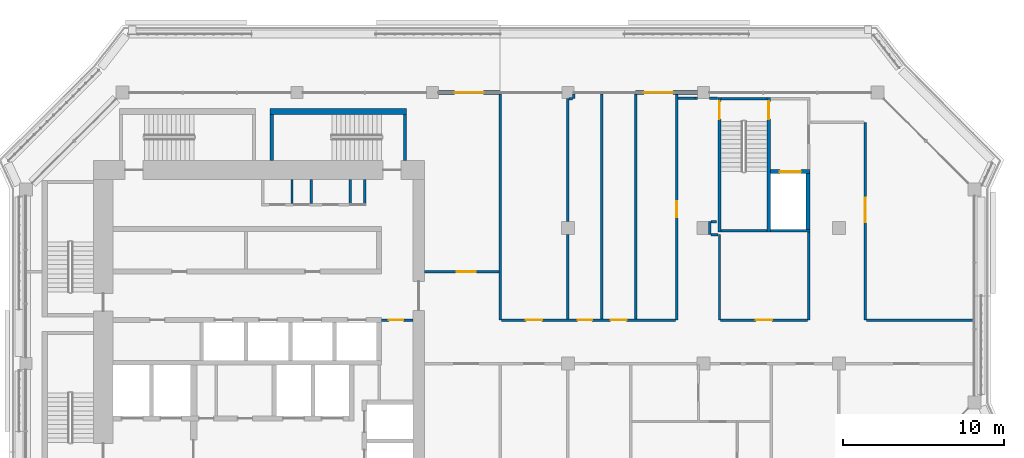
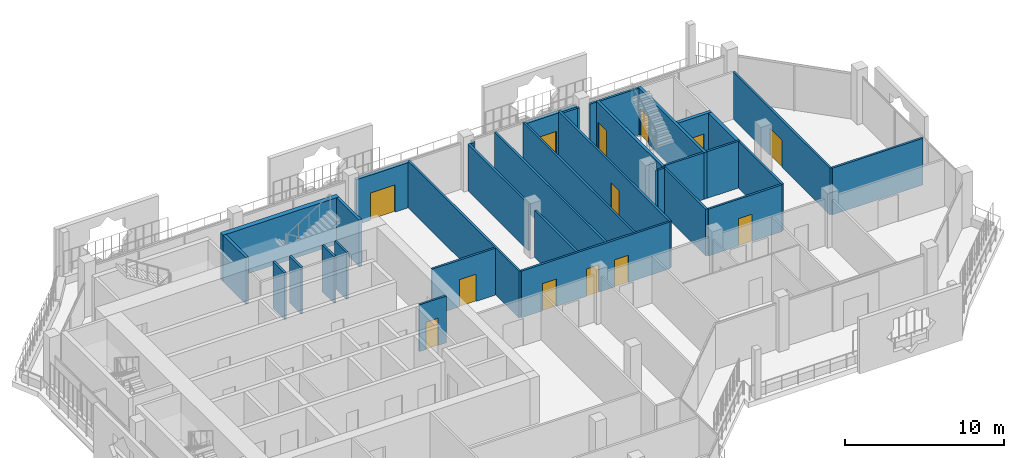
# One storey, part 13 of 21: 38 walls, 13 doors, 13 openings.
"""IFC4 building model written with IfcOpenShell, lengths in metres."""

from ifc_helpers import new_model, si_unit, direction, frame, frame_2d, origin, place, context, subcontext, project, spatial, rectangle, extrude, material, layer, layer_set, type_object, element, fill, save


model = new_model("IFC4")

# Units and contexts
model_context = context("Model", 3, precision=1e-05, world=origin(), true_north=direction((0.0, 1.0)))
body_context = subcontext(model_context, "Body", "Model", "MODEL_VIEW")
ifc_project = project(units=[si_unit("LENGTHUNIT", "METRE"), si_unit("AREAUNIT", "SQUARE_METRE"), si_unit("VOLUMEUNIT", "CUBIC_METRE"), si_unit("PLANEANGLEUNIT", "RADIAN"), si_unit("MASSUNIT", "GRAM", prefix="KILO")], contexts=[model_context])

# Site, building, storey
site_placement = place(None, origin())
site = spatial("IfcSite", under=ifc_project, at=site_placement, CompositionType="ELEMENT")
building_placement = place(site_placement, origin())
building = spatial("IfcBuilding", under=site, at=building_placement, Name="Kawkab Arch Medical Tower", CompositionType="ELEMENT")
storey_placement = place(building_placement, frame((0.0, 0.0, 319.60009765625)))
storey = spatial("IfcBuildingStorey", under=building, at=storey_placement, Name="L74", CompositionType="ELEMENT", Elevation=319.60009765625)

# Wall, opening, door
ifc_material_1 = material(Name="Gypsum board on steel studs", Category="steel")
ifc_layer_1 = layer(ifc_material_1, 0.14990234375)
ifc_layer_set_1 = layer_set([ifc_layer_1], Name="Gypsum board on steel studs")
wall_type_1 = type_object("IfcWallType", Name="Core room partition 150", PredefinedType="PARTITIONING", material=ifc_layer_set_1)
wall_1_placement = place(storey_placement, frame((22.050048828125, -14.10009765625, 0.0), z_axis=(0.0, 0.0, 1.0), x_axis=(1.0, 0.0, 0.0)))
wall_1 = element("IfcWall", 1, at=wall_1_placement, inside=storey, type_object=wall_type_1, Name="L74 core room partition", PredefinedType="PARTITIONING", context=body_context, shape_type="SweptSolid", body=[
    extrude(rectangle(XDim=1.949951171875, YDim=0.14990234375, at=frame_2d((0.97509765625, 0.0))), origin(), (0.0, 0.0, 1.0), 3.599853515625),
])
opening_1_placement = place(wall_1_placement, frame((0.449951171875, 0.0, 0.0)))
opening_1 = element("IfcOpeningElement", 2, at=opening_1_placement, cuts=wall_1, Name="Opening RD", PredefinedType="OPENING", context=body_context, shape_type="SweptSolid", body=[
    extrude(rectangle(XDim=0.89990234375, YDim=2.10009765625, at=frame_2d((0.449951171875, 1.050048828125))), frame((0.0, 0.0849609375, 0.0), z_axis=(0.0, -1.0, 0.0), x_axis=(1.0, 0.0, 0.0)), (0.0, 0.0, 1.0), 0.169921875),
])
ifc_material_2 = material(Name="Hollow metal fire door leaf")
door_type_1 = type_object("IfcDoorType", Name="Core room door 900", OperationType="SINGLE_SWING_LEFT", PredefinedType="DOOR", material=ifc_material_2)
door_1_placement = place(opening_1_placement, origin())
door_1 = element("IfcDoor", 3, at=door_1_placement, inside=storey, type_object=door_type_1, Name="L74 Data room door", OperationType="SINGLE_SWING_LEFT", OverallHeight=2.10009765625, OverallWidth=0.89990234375, PredefinedType="DOOR", context=body_context, shape_type="SweptSolid", body=[
    extrude(rectangle(XDim=0.89990234375, YDim=2.10009765625, at=frame_2d((0.449951171875, 1.050048828125))), frame((0.0, 0.02490234375, 0.0), z_axis=(0.0, -1.0, 0.0), x_axis=(1.0, 0.0, 0.0)), (0.0, 0.0, 1.0), 0.050048828125),
])
fill(opening_1, door_1)

# Walls
for number, where, z_axis, x_axis, name in (
    (4, (16.5, -6.875, 0.0), (0.0, 0.0, 1.0), (0.0, 1.0, 0.0), "L74 core room partition"),
    (5, (17.699951171875, -6.875, 0.0), (0.0, 0.0, 1.0), (0.0, 1.0, 0.0), "L74 core room partition"),
    (6, (20.10009765625, -6.875, 0.0), (0.0, 0.0, 1.0), (0.0, 1.0, 0.0), "L74 core room partition"),
    (7, (21.0, -6.875, 0.0), (0.0, 0.0, 1.0), (0.0, 1.0, 0.0), "L74 core room partition"),
):
    element("IfcWall", number, at=place(storey_placement, frame(where, z_axis=z_axis, x_axis=x_axis)), inside=storey, type_object=wall_type_1, Name=name, PredefinedType="PARTITIONING", context=body_context, shape_type="SweptSolid", body=[
        extrude(rectangle(XDim=1.47509765625, YDim=0.14990234375, at=frame_2d((0.737548828125, 0.0))), origin(), (0.0, 0.0, 1.0), 3.599853515625),
    ])

# Wall, opening, door
ifc_material_3 = material(Name="Concrete C60/75", Category="concrete")
ifc_layer_2 = layer(ifc_material_3, 0.25)
ifc_layer_set_2 = layer_set([ifc_layer_2], Name="Concrete C60/75")
wall_type_2 = type_object("IfcWallType", Name="Core shear wall 250 C60/75", PredefinedType="SHEAR", material=ifc_layer_set_2)
wall_2_placement = place(storey_placement, frame((46.14990234375, -4.89990234375, 0.0), z_axis=(0.0, 0.0, 1.0), x_axis=(1.0, 0.0, 0.0)))
wall_2 = element("IfcWall", 8, at=wall_2_placement, inside=storey, type_object=wall_type_2, Name="L74 core shear wall", PredefinedType="SHEAR", context=body_context, shape_type="SweptSolid", body=[
    extrude(rectangle(XDim=2.4501953125, YDim=0.25, at=frame_2d((1.22509765625, 0.0))), origin(), (0.0, 0.0, 1.0), 3.599853515625),
])
opening_2_placement = place(wall_2_placement, frame((0.60009765625, 0.0, 0.0)))
opening_2 = element("IfcOpeningElement", 9, at=opening_2_placement, cuts=wall_2, Name="Opening LD2", PredefinedType="OPENING", context=body_context, shape_type="SweptSolid", body=[
    extrude(rectangle(XDim=1.300048828125, YDim=2.10009765625, at=frame_2d((0.64990234375, 1.050048828125))), frame((0.0, 0.135009765625, 0.0), z_axis=(0.0, -1.0, 0.0), x_axis=(1.0, 0.0, 0.0)), (0.0, 0.0, 1.0), 0.27001953125),
])
ifc_material_4 = material(Name="Stainless steel lift door leaf", Category="steel")
door_type_2 = type_object("IfcDoorType", Name="Lift landing door 1300", OperationType="DOUBLE_DOOR_SLIDING", PredefinedType="DOOR", material=ifc_material_4)
door_2_placement = place(opening_2_placement, origin())
door_2 = element("IfcDoor", 10, at=door_2_placement, inside=storey, type_object=door_type_2, Name="L74 Lift landing door SV1", OperationType="DOUBLE_DOOR_SLIDING", OverallHeight=2.10009765625, OverallWidth=1.300048828125, PredefinedType="DOOR", context=body_context, shape_type="SweptSolid", body=[
    extrude(rectangle(XDim=1.300048828125, YDim=2.10009765625, at=frame_2d((0.64990234375, 1.050048828125))), frame((0.0, 0.02490234375, 0.0), z_axis=(0.0, -1.0, 0.0), x_axis=(1.0, 0.0, 0.0)), (0.0, 0.0, 1.0), 0.050048828125),
])
fill(opening_2, door_2)

# Wall
wall_3_placement = place(storey_placement, frame((48.47509765625, -8.5, 0.0), z_axis=(0.0, 0.0, 1.0), x_axis=(0.0, 1.0, 0.0)))
element("IfcWall", 11, at=wall_3_placement, inside=storey, type_object=wall_type_2, Name="L74 core shear wall", PredefinedType="SHEAR", context=body_context, shape_type="SweptSolid", body=[
    extrude(rectangle(XDim=3.47509765625, YDim=0.25, at=frame_2d((1.737548828125, 0.0))), origin(), (0.0, 0.0, 1.0), 3.599853515625),
])

# Wall, opening, door
ifc_material_5 = material(Name="Bronze clad insulated wall panel")
ifc_layer_3 = layer(ifc_material_5, 0.25)
ifc_layer_set_3 = layer_set([ifc_layer_3], Name="Bronze clad insulated wall panel")
wall_type_3 = type_object("IfcWallType", Name="External wall bay 250", PredefinedType="SOLIDWALL", material=ifc_layer_set_3)
wall_4_placement = place(storey_placement, frame((41.625, 0.0, 0.0), z_axis=(0.0, 0.0, 1.0), x_axis=(-1.0, 0.0, 0.0)))
wall_4 = element("IfcWall", 12, at=wall_4_placement, inside=storey, type_object=wall_type_3, Name="External wall bay L74.R15.2.1", PredefinedType="SOLIDWALL", context=body_context, shape_type="SweptSolid", body=[
    extrude(rectangle(XDim=3.824951171875, YDim=0.25, at=frame_2d((1.91259765625, 0.0))), origin(), (0.0, 0.0, 1.0), 3.47998046875),
])
opening_3_placement = place(wall_4_placement, frame((1.512451171875, 0.0, 0.0)))
opening_3 = element("IfcOpeningElement", 13, at=opening_3_placement, cuts=wall_4, Name="Opening W69-701", PredefinedType="OPENING", context=body_context, shape_type="SweptSolid", body=[
    extrude(rectangle(XDim=1.800048828125, YDim=2.10009765625, at=frame_2d((0.89990234375, 1.050048828125))), frame((0.0, 0.135009765625, 0.0), z_axis=(0.0, -1.0, 0.0), x_axis=(1.0, 0.0, 0.0)), (0.0, 0.0, 1.0), 0.27001953125),
])
ifc_material_6 = material(Name="Bronze anodised aluminium door with tinted glass", Category="aluminium")
door_type_3 = type_object("IfcDoorType", Name="Double external door 1800 x 2100", OperationType="DOUBLE_DOOR_SINGLE_SWING", PredefinedType="DOOR", material=ifc_material_6)
door_3_placement = place(opening_3_placement, origin())
door_3 = element("IfcDoor", 14, at=door_3_placement, inside=storey, type_object=door_type_3, Name="External door L74.R15.2.1", OperationType="DOUBLE_DOOR_SINGLE_SWING", OverallHeight=2.10009765625, OverallWidth=1.800048828125, PredefinedType="DOOR", context=body_context, shape_type="SweptSolid", body=[
    extrude(rectangle(XDim=1.800048828125, YDim=2.10009765625, at=frame_2d((0.89990234375, 1.050048828125))), frame((0.0, 0.02490234375, 0.0), z_axis=(0.0, -1.0, 0.0), x_axis=(1.0, 0.0, 0.0)), (0.0, 0.0, 1.0), 0.050048828125),
])
fill(opening_3, door_3)

wall_5_placement = place(storey_placement, frame((29.39990234375, 0.0, 0.0), z_axis=(0.0, 0.0, 1.0), x_axis=(-1.0, 0.0, 0.0)))
wall_5 = element("IfcWall", 15, at=wall_5_placement, inside=storey, type_object=wall_type_3, Name="External wall bay L74.R15.3.2", PredefinedType="SOLIDWALL", context=body_context, shape_type="SweptSolid", body=[
    extrude(rectangle(XDim=3.824951171875, YDim=0.25, at=frame_2d((1.91259765625, 0.0))), origin(), (0.0, 0.0, 1.0), 3.47998046875),
])
opening_4_placement = place(wall_5_placement, frame((1.012451171875, 0.0, 0.0)))
opening_4 = element("IfcOpeningElement", 16, at=opening_4_placement, cuts=wall_5, Name="Opening W69-701", PredefinedType="OPENING", context=body_context, shape_type="SweptSolid", body=[
    extrude(rectangle(XDim=1.800048828125, YDim=2.10009765625, at=frame_2d((0.89990234375, 1.050048828125))), frame((0.0, 0.135009765625, 0.0), z_axis=(0.0, -1.0, 0.0), x_axis=(1.0, 0.0, 0.0)), (0.0, 0.0, 1.0), 0.27001953125),
])
door_4_placement = place(opening_4_placement, origin())
door_4 = element("IfcDoor", 17, at=door_4_placement, inside=storey, type_object=door_type_3, Name="External door L74.R15.3.2", OperationType="DOUBLE_DOOR_SINGLE_SWING", OverallHeight=2.10009765625, OverallWidth=1.800048828125, PredefinedType="DOOR", context=body_context, shape_type="SweptSolid", body=[
    extrude(rectangle(XDim=1.800048828125, YDim=2.10009765625, at=frame_2d((0.89990234375, 1.050048828125))), frame((0.0, 0.02490234375, 0.0), z_axis=(0.0, -1.0, 0.0), x_axis=(1.0, 0.0, 0.0)), (0.0, 0.0, 1.0), 0.050048828125),
])
fill(opening_4, door_4)

# Wall, openings, doors
ifc_material_7 = material(Name="Gypsum board partition on steel studs, mineral wool", Category="steel")
ifc_layer_4 = layer(ifc_material_7, 0.14990234375)
ifc_layer_set_4 = layer_set([ifc_layer_4], Name="Gypsum board partition on steel studs, mineral wool")
wall_type_4 = type_object("IfcWallType", Name="Partition 150", PredefinedType="PARTITIONING", material=ifc_layer_set_4)
wall_6_placement = place(storey_placement, frame((29.47509765625, -14.10009765625, 0.0), z_axis=(0.0, 0.0, 1.0), x_axis=(1.0, 0.0, 0.0)))
wall_6 = element("IfcWall", 18, at=wall_6_placement, inside=storey, type_object=wall_type_4, Name="Partition 150 w013", PredefinedType="PARTITIONING", context=body_context, shape_type="SweptSolid", body=[
    extrude(rectangle(XDim=10.806884765625, YDim=0.14990234375, at=frame_2d((5.4033203125, 0.0))), origin(), (0.0, 0.0, 1.0), 3.599853515625),
])
opening_5_placement = place(wall_6_placement, frame((1.52490234375, 0.0, 0.0)))
opening_5 = element("IfcOpeningElement", 19, at=opening_5_placement, cuts=wall_6, Name="Opening W69-010", PredefinedType="OPENING", context=body_context, shape_type="SweptSolid", body=[
    extrude(rectangle(XDim=1.0, YDim=2.10009765625, at=frame_2d((0.5, 1.050048828125))), frame((0.0, 0.0849609375, 0.0), z_axis=(0.0, -1.0, 0.0), x_axis=(1.0, 0.0, 0.0)), (0.0, 0.0, 1.0), 0.169921875),
])
opening_6_placement = place(wall_6_placement, frame((4.72509765625, 0.0, 0.0)))
opening_6 = element("IfcOpeningElement", 20, at=opening_6_placement, cuts=wall_6, Name="Opening W69-006", PredefinedType="OPENING", context=body_context, shape_type="SweptSolid", body=[
    extrude(rectangle(XDim=0.89990234375, YDim=2.10009765625, at=frame_2d((0.449951171875, 1.050048828125))), frame((0.0, 0.0849609375, 0.0), z_axis=(0.0, -1.0, 0.0), x_axis=(1.0, 0.0, 0.0)), (0.0, 0.0, 1.0), 0.169921875),
])
opening_7_placement = place(wall_6_placement, frame((6.77490234375, 0.0, 0.0)))
opening_7 = element("IfcOpeningElement", 21, at=opening_7_placement, cuts=wall_6, Name="Opening W69-009", PredefinedType="OPENING", context=body_context, shape_type="SweptSolid", body=[
    extrude(rectangle(XDim=1.0, YDim=2.10009765625, at=frame_2d((0.5, 1.050048828125))), frame((0.0, 0.0849609375, 0.0), z_axis=(0.0, -1.0, 0.0), x_axis=(1.0, 0.0, 0.0)), (0.0, 0.0, 1.0), 0.169921875),
])
ifc_material_8 = material(Name="Timber door leaf", Category="wood")
door_type_4 = type_object("IfcDoorType", Name="Single door 1000x2100", OperationType="NOTDEFINED", PredefinedType="DOOR", material=ifc_material_8)
door_5_placement = place(opening_7_placement, origin())
door_5 = element("IfcDoor", 22, at=door_5_placement, inside=storey, type_object=door_type_4, Name="Door W69-009", OperationType="SINGLE_SWING_RIGHT", OverallHeight=2.10009765625, OverallWidth=1.0, PredefinedType="DOOR", context=body_context, shape_type="SweptSolid", body=[
    extrude(rectangle(XDim=1.0, YDim=2.10009765625, at=frame_2d((0.5, 1.050048828125))), frame((0.0, 0.02490234375, 0.0), z_axis=(0.0, -1.0, 0.0), x_axis=(1.0, 0.0, 0.0)), (0.0, 0.0, 1.0), 0.050048828125),
])
fill(opening_7, door_5)
ifc_material_9 = material(Name="Hollow metal door leaf")
door_type_5 = type_object("IfcDoorType", Name="Single door 1000x2100 FD30S", OperationType="NOTDEFINED", PredefinedType="DOOR", material=ifc_material_9)
door_6_placement = place(opening_5_placement, origin())
door_6 = element("IfcDoor", 23, at=door_6_placement, inside=storey, type_object=door_type_5, Name="Door W69-010", OperationType="SINGLE_SWING_LEFT", OverallHeight=2.10009765625, OverallWidth=1.0, PredefinedType="DOOR", context=body_context, shape_type="SweptSolid", body=[
    extrude(rectangle(XDim=1.0, YDim=2.10009765625, at=frame_2d((0.5, 1.050048828125))), frame((0.0, 0.02490234375, 0.0), z_axis=(0.0, -1.0, 0.0), x_axis=(1.0, 0.0, 0.0)), (0.0, 0.0, 1.0), 0.050048828125),
])
fill(opening_5, door_6)
ifc_material_10 = material(Name="Timber door leaf", Category="wood")
door_type_6 = type_object("IfcDoorType", Name="Single door 900x2100", OperationType="NOTDEFINED", PredefinedType="DOOR", material=ifc_material_10)
door_7_placement = place(opening_6_placement, origin())
door_7 = element("IfcDoor", 24, at=door_7_placement, inside=storey, type_object=door_type_6, Name="Door W69-006", OperationType="SINGLE_SWING_RIGHT", OverallHeight=2.10009765625, OverallWidth=0.89990234375, PredefinedType="DOOR", context=body_context, shape_type="SweptSolid", body=[
    extrude(rectangle(XDim=0.89990234375, YDim=2.10009765625, at=frame_2d((0.449951171875, 1.050048828125))), frame((0.0, 0.02490234375, 0.0), z_axis=(0.0, -1.0, 0.0), x_axis=(1.0, 0.0, 0.0)), (0.0, 0.0, 1.0), 0.050048828125),
])
fill(opening_6, door_7)

# Wall, opening, door
wall_7_placement = place(storey_placement, frame((43.074951171875, -14.10009765625, 0.0), z_axis=(0.0, 0.0, 1.0), x_axis=(1.0, 0.0, 0.0)))
wall_7 = element("IfcWall", 25, at=wall_7_placement, inside=storey, type_object=wall_type_4, Name="Partition 150 w014", PredefinedType="PARTITIONING", context=body_context, shape_type="SweptSolid", body=[
    extrude(rectangle(XDim=5.375, YDim=0.14990234375, at=frame_2d((2.6875, 0.0))), origin(), (0.0, 0.0, 1.0), 3.599853515625),
])
opening_8_placement = place(wall_7_placement, frame((2.18798828125, 0.0, 0.0)))
opening_8 = element("IfcOpeningElement", 26, at=opening_8_placement, cuts=wall_7, Name="Opening W69-011", PredefinedType="OPENING", context=body_context, shape_type="SweptSolid", body=[
    extrude(rectangle(XDim=1.0, YDim=2.10009765625, at=frame_2d((0.5, 1.050048828125))), frame((0.0, 0.0849609375, 0.0), z_axis=(0.0, -1.0, 0.0), x_axis=(1.0, 0.0, 0.0)), (0.0, 0.0, 1.0), 0.169921875),
])
door_8_placement = place(opening_8_placement, origin())
door_8 = element("IfcDoor", 27, at=door_8_placement, inside=storey, type_object=door_type_5, Name="Door W69-011", OperationType="SINGLE_SWING_LEFT", OverallHeight=2.10009765625, OverallWidth=1.0, PredefinedType="DOOR", context=body_context, shape_type="SweptSolid", body=[
    extrude(rectangle(XDim=1.0, YDim=2.10009765625, at=frame_2d((0.5, 1.050048828125))), frame((0.0, 0.02490234375, 0.0), z_axis=(0.0, -1.0, 0.0), x_axis=(1.0, 0.0, 0.0)), (0.0, 0.0, 1.0), 0.050048828125),
])
fill(opening_8, door_8)

# Wall
wall_8_placement = place(storey_placement, frame((52.117919921875, -14.10009765625, 0.0), z_axis=(0.0, 0.0, 1.0), x_axis=(1.0, 0.0, 0.0)))
element("IfcWall", 28, at=wall_8_placement, inside=storey, type_object=wall_type_4, Name="Partition 150 w015", PredefinedType="PARTITIONING", context=body_context, shape_type="SweptSolid", body=[
    extrude(rectangle(XDim=6.60205078125, YDim=0.14990234375, at=frame_2d((3.301025390625, 0.0))), origin(), (0.0, 0.0, 1.0), 3.599853515625),
])

# Wall, opening, door
wall_9_placement = place(storey_placement, frame((24.699951171875, -11.10009765625, 0.0), z_axis=(0.0, 0.0, 1.0), x_axis=(1.0, 0.0, 0.0)))
wall_9 = element("IfcWall", 29, at=wall_9_placement, inside=storey, type_object=wall_type_4, Name="Partition 150 w017", PredefinedType="PARTITIONING", context=body_context, shape_type="SweptSolid", body=[
    extrude(rectangle(XDim=4.625, YDim=0.14990234375, at=frame_2d((2.3125, 0.0))), origin(), (0.0, 0.0, 1.0), 3.599853515625),
])
opening_9_placement = place(wall_9_placement, frame((2.0, 0.0, 0.0)))
opening_9 = element("IfcOpeningElement", 30, at=opening_9_placement, cuts=wall_9, Name="Opening W69-018", PredefinedType="OPENING", context=body_context, shape_type="SweptSolid", body=[
    extrude(rectangle(XDim=1.199951171875, YDim=2.10009765625, at=frame_2d((0.60009765625, 1.050048828125))), frame((0.0, 0.0849609375, 0.0), z_axis=(0.0, -1.0, 0.0), x_axis=(1.0, 0.0, 0.0)), (0.0, 0.0, 1.0), 0.169921875),
])
ifc_material_11 = material(Name="Hollow metal door leaf")
door_type_7 = type_object("IfcDoorType", Name="Single door 1200x2100 FD30S", OperationType="NOTDEFINED", PredefinedType="DOOR", material=ifc_material_11)
door_9_placement = place(opening_9_placement, origin())
door_9 = element("IfcDoor", 31, at=door_9_placement, inside=storey, type_object=door_type_7, Name="Door W69-018", OperationType="SINGLE_SWING_LEFT", OverallHeight=2.10009765625, OverallWidth=1.199951171875, PredefinedType="DOOR", context=body_context, shape_type="SweptSolid", body=[
    extrude(rectangle(XDim=1.199951171875, YDim=2.10009765625, at=frame_2d((0.60009765625, 1.050048828125))), frame((0.0, 0.02490234375, 0.0), z_axis=(0.0, -1.0, 0.0), x_axis=(1.0, 0.0, 0.0)), (0.0, 0.0, 1.0), 0.050048828125),
])
fill(opening_9, door_9)

# Walls
wall_10_placement = place(storey_placement, frame((42.47509765625, -8.800048828125, 0.0), z_axis=(0.0, 0.0, 1.0), x_axis=(1.0, 0.0, 0.0)))
element("IfcWall", 32, at=wall_10_placement, inside=storey, type_object=wall_type_4, Name="Partition 150 w018", PredefinedType="PARTITIONING", context=body_context, shape_type="SweptSolid", body=[
    extrude(rectangle(XDim=0.447998046875, YDim=0.14990234375, at=frame_2d((0.22412109375, 0.0))), origin(), (0.0, 0.0, 1.0), 3.599853515625),
])
wall_11_placement = place(storey_placement, frame((42.47607421875, -8.0, 0.0), z_axis=(0.0, 0.0, 1.0), x_axis=(1.0, 0.0, 0.0)))
element("IfcWall", 33, at=wall_11_placement, inside=storey, type_object=wall_type_4, Name="Partition 150 w019", PredefinedType="PARTITIONING", context=body_context, shape_type="SweptSolid", body=[
    extrude(rectangle(XDim=0.343994140625, YDim=0.14990234375, at=frame_2d((0.171875, 0.0))), origin(), (0.0, 0.0, 1.0), 3.599853515625),
])
wall_12_placement = place(storey_placement, frame((33.677001953125, -0.375, 0.0), z_axis=(0.0, 0.0, 1.0), x_axis=(1.0, 0.0, 0.0)))
element("IfcWall", 34, at=wall_12_placement, inside=storey, type_object=wall_type_4, Name="Partition 150 w021", PredefinedType="PARTITIONING", context=body_context, shape_type="SweptSolid", body=[
    extrude(rectangle(XDim=0.220947265625, YDim=0.14990234375, at=frame_2d((0.1103515625, 0.0))), origin(), (0.0, 0.0, 1.0), 3.599853515625),
])
wall_13_placement = place(storey_placement, frame((41.488037109375, -0.362060546875, 0.0), z_axis=(0.0, 0.0, 1.0), x_axis=(1.0, 0.0, 0.0)))
element("IfcWall", 35, at=wall_13_placement, inside=storey, type_object=wall_type_4, Name="Partition 150 w022", PredefinedType="PARTITIONING", context=body_context, shape_type="SweptSolid", body=[
    extrude(rectangle(XDim=0.136962890625, YDim=0.14990234375, at=frame_2d((0.068359375, 0.0))), origin(), (0.0, 0.0, 1.0), 3.599853515625),
])
wall_14_placement = place(storey_placement, frame((42.375, -0.362060546875, 0.0), z_axis=(0.0, 0.0, 1.0), x_axis=(1.0, 0.0, 0.0)))
element("IfcWall", 36, at=wall_14_placement, inside=storey, type_object=wall_type_4, Name="Partition 150 w023", PredefinedType="PARTITIONING", context=body_context, shape_type="SweptSolid", body=[
    extrude(rectangle(XDim=0.4951171875, YDim=0.14990234375, at=frame_2d((0.24755859375, 0.0))), origin(), (0.0, 0.0, 1.0), 3.599853515625),
])
wall_15_placement = place(storey_placement, frame((40.431884765625, -0.35009765625, 0.0), z_axis=(0.0, 0.0, 1.0), x_axis=(1.0, 0.0, 0.0)))
element("IfcWall", 37, at=wall_15_placement, inside=storey, type_object=wall_type_4, Name="Partition 150 w024", PredefinedType="PARTITIONING", context=body_context, shape_type="SweptSolid", body=[
    extrude(rectangle(XDim=1.05615234375, YDim=0.14990234375, at=frame_2d((0.528076171875, 0.0))), origin(), (0.0, 0.0, 1.0), 3.599853515625),
])
wall_16_placement = place(storey_placement, frame((29.39990234375, -14.10009765625, 0.0), z_axis=(0.0, 0.0, 1.0), x_axis=(0.0, 1.0, 0.0)))
element("IfcWall", 38, at=wall_16_placement, inside=storey, type_object=wall_type_4, Name="Partition 150 w031", PredefinedType="PARTITIONING", context=body_context, shape_type="SweptSolid", body=[
    extrude(rectangle(XDim=14.02001953125, YDim=0.14990234375, at=frame_2d((7.010009765625, 0.0))), origin(), (0.0, 0.0, 1.0), 3.599853515625),
])
wall_17_placement = place(storey_placement, frame((33.60009765625, -14.02490234375, 0.0), z_axis=(0.0, 0.0, 1.0), x_axis=(0.0, 1.0, 0.0)))
element("IfcWall", 39, at=wall_17_placement, inside=storey, type_object=wall_type_4, Name="Partition 150 w033", PredefinedType="PARTITIONING", context=body_context, shape_type="SweptSolid", body=[
    extrude(rectangle(XDim=5.224853515625, YDim=0.14990234375, at=frame_2d((2.6123046875, 0.0))), origin(), (0.0, 0.0, 1.0), 3.599853515625),
])
wall_18_placement = place(storey_placement, frame((33.60009765625, -8.0, 0.0), z_axis=(0.0, 0.0, 1.0), x_axis=(0.0, 1.0, 0.0)))
element("IfcWall", 40, at=wall_18_placement, inside=storey, type_object=wall_type_4, Name="Partition 150 w034", PredefinedType="PARTITIONING", context=body_context, shape_type="SweptSolid", body=[
    extrude(rectangle(XDim=7.623046875, YDim=0.14990234375, at=frame_2d((3.8115234375, 0.0))), origin(), (0.0, 0.0, 1.0), 3.599853515625),
])
wall_19_placement = place(storey_placement, frame((33.97509765625, -0.373046875, 0.0), z_axis=(0.0, 0.0, 1.0), x_axis=(0.0, 1.0, 0.0)))
element("IfcWall", 41, at=wall_19_placement, inside=storey, type_object=wall_type_4, Name="Partition 150 w035", PredefinedType="PARTITIONING", context=body_context, shape_type="SweptSolid", body=[
    extrude(rectangle(XDim=0.29296875, YDim=0.14990234375, at=frame_2d((0.146484375, 0.0))), origin(), (0.0, 0.0, 1.0), 3.599853515625),
])
for number, where, z_axis, x_axis, name in (
    (42, (35.699951171875, -14.02490234375, 0.0), (0.0, 0.0, 1.0), (0.0, 1.0, 0.0), "Partition 150 w036"),
    (43, (37.800048828125, -14.02490234375, 0.0), (0.0, 0.0, 1.0), (0.0, 1.0, 0.0), "Partition 150 w038"),
):
    element("IfcWall", number, at=place(storey_placement, frame(where, z_axis=z_axis, x_axis=x_axis)), inside=storey, type_object=wall_type_4, Name=name, PredefinedType="PARTITIONING", context=body_context, shape_type="SweptSolid", body=[
        extrude(rectangle(XDim=13.94482421875, YDim=0.14990234375, at=frame_2d((6.972412109375, 0.0))), origin(), (0.0, 0.0, 1.0), 3.599853515625),
    ])

# Wall, opening, door
wall_20_placement = place(storey_placement, frame((40.35693359375, -14.10009765625, 0.0), z_axis=(0.0, 0.0, 1.0), x_axis=(0.0, 1.0, 0.0)))
wall_20 = element("IfcWall", 44, at=wall_20_placement, inside=storey, type_object=wall_type_4, Name="Partition 150 w039", PredefinedType="PARTITIONING", context=body_context, shape_type="SweptSolid", body=[
    extrude(rectangle(XDim=14.02001953125, YDim=0.14990234375, at=frame_2d((7.010009765625, 0.0))), origin(), (0.0, 0.0, 1.0), 3.599853515625),
])
opening_10_placement = place(wall_20_placement, frame((6.375, 0.0, 0.0)))
opening_10 = element("IfcOpeningElement", 45, at=opening_10_placement, cuts=wall_20, Name="Opening W69-017", PredefinedType="OPENING", context=body_context, shape_type="SweptSolid", body=[
    extrude(rectangle(XDim=1.0, YDim=2.10009765625, at=frame_2d((0.5, 1.050048828125))), frame((0.0, 0.0849609375, 0.0), z_axis=(0.0, -1.0, 0.0), x_axis=(1.0, 0.0, 0.0)), (0.0, 0.0, 1.0), 0.169921875),
])
door_10_placement = place(opening_10_placement, origin())
door_10 = element("IfcDoor", 46, at=door_10_placement, inside=storey, type_object=door_type_5, Name="Door W69-017", OperationType="SINGLE_SWING_RIGHT", OverallHeight=2.10009765625, OverallWidth=1.0, PredefinedType="DOOR", context=body_context, shape_type="SweptSolid", body=[
    extrude(rectangle(XDim=1.0, YDim=2.10009765625, at=frame_2d((0.5, 1.050048828125))), frame((0.0, 0.02490234375, 0.0), z_axis=(0.0, -1.0, 0.0), x_axis=(1.0, 0.0, 0.0)), (0.0, 0.0, 1.0), 0.050048828125),
])
fill(opening_10, door_10)

# Walls
wall_21_placement = place(storey_placement, frame((42.39990234375, -8.800048828125, 0.0), z_axis=(0.0, 0.0, 1.0), x_axis=(0.0, 1.0, 0.0)))
element("IfcWall", 47, at=wall_21_placement, inside=storey, type_object=wall_type_4, Name="Partition 150 w040", PredefinedType="PARTITIONING", context=body_context, shape_type="SweptSolid", body=[
    extrude(rectangle(XDim=0.799072265625, YDim=0.14990234375, at=frame_2d((0.3994140625, 0.0))), origin(), (0.0, 0.0, 1.0), 3.599853515625),
])
wall_22_placement = place(storey_placement, frame((43.0, -14.10009765625, 0.0), z_axis=(0.0, 0.0, 1.0), x_axis=(0.0, 1.0, 0.0)))
element("IfcWall", 48, at=wall_22_placement, inside=storey, type_object=wall_type_4, Name="Partition 150 w041", PredefinedType="PARTITIONING", context=body_context, shape_type="SweptSolid", body=[
    extrude(rectangle(XDim=5.298095703125, YDim=0.14990234375, at=frame_2d((2.64892578125, 0.0))), origin(), (0.0, 0.0, 1.0), 3.599853515625),
])
wall_23_placement = place(storey_placement, frame((48.52490234375, -14.10009765625, 0.0), z_axis=(0.0, 0.0, 1.0), x_axis=(0.0, 1.0, 0.0)))
element("IfcWall", 49, at=wall_23_placement, inside=storey, type_object=wall_type_4, Name="Partition 150 w043", PredefinedType="PARTITIONING", context=body_context, shape_type="SweptSolid", body=[
    extrude(rectangle(XDim=5.4501953125, YDim=0.14990234375, at=frame_2d((2.72509765625, 0.0))), origin(), (0.0, 0.0, 1.0), 3.599853515625),
])

# Wall, opening, door
wall_24_placement = place(storey_placement, frame((52.04296875, -14.10009765625, 0.0), z_axis=(0.0, 0.0, 1.0), x_axis=(0.0, 1.0, 0.0)))
wall_24 = element("IfcWall", 50, at=wall_24_placement, inside=storey, type_object=wall_type_4, Name="Partition 150 w045", PredefinedType="PARTITIONING", context=body_context, shape_type="SweptSolid", body=[
    extrude(rectangle(XDim=12.248046875, YDim=0.14990234375, at=frame_2d((6.1240234375, 0.0))), origin(), (0.0, 0.0, 1.0), 3.599853515625),
])
opening_11_placement = place(wall_24_placement, frame((6.073974609375, 0.0, 0.0)))
opening_11 = element("IfcOpeningElement", 51, at=opening_11_placement, cuts=wall_24, Name="Opening W69-002", PredefinedType="OPENING", context=body_context, shape_type="SweptSolid", body=[
    extrude(rectangle(XDim=1.5, YDim=2.10009765625, at=frame_2d((0.75, 1.050048828125))), frame((0.0, 0.0849609375, 0.0), z_axis=(0.0, -1.0, 0.0), x_axis=(1.0, 0.0, 0.0)), (0.0, 0.0, 1.0), 0.169921875),
])
ifc_material_12 = material(Name="Hollow metal door leaf")
door_type_8 = type_object("IfcDoorType", Name="Double door 1500x2100 FD30S", OperationType="NOTDEFINED", PredefinedType="DOOR", material=ifc_material_12)
door_11_placement = place(opening_11_placement, origin())
door_11 = element("IfcDoor", 52, at=door_11_placement, inside=storey, type_object=door_type_8, Name="Door W69-002", OperationType="DOUBLE_DOOR_SINGLE_SWING", OverallHeight=2.10009765625, OverallWidth=1.5, PredefinedType="DOOR", context=body_context, shape_type="SweptSolid", body=[
    extrude(rectangle(XDim=1.5, YDim=2.10009765625, at=frame_2d((0.75, 1.050048828125))), frame((0.0, 0.02490234375, 0.0), z_axis=(0.0, -1.0, 0.0), x_axis=(1.0, 0.0, 0.0)), (0.0, 0.0, 1.0), 0.050048828125),
])
fill(opening_11, door_11)

# Walls
ifc_material_13 = material(Name="Concrete C50/60", Category="concrete")
ifc_layer_5 = layer(ifc_material_13, 0.14990234375)
ifc_layer_set_5 = layer_set([ifc_layer_5], Name="Concrete C50/60")
wall_type_5 = type_object("IfcWallType", Name="Stair enclosure wall 150 C50/60", PredefinedType="SHEAR", material=ifc_layer_set_5)
for number, where, z_axis, x_axis, name in (
    (53, (43.10009765625, -0.375, 0.0), (0.0, 0.0, 1.0), (1.0, 0.0, 0.0), "L74 stair enclosure wall"),
    (54, (43.10009765625, -8.574951171875, 0.0), (0.0, 0.0, 1.0), (1.0, 0.0, 0.0), "L74 stair enclosure wall"),
):
    element("IfcWall", number, at=place(storey_placement, frame(where, z_axis=z_axis, x_axis=x_axis)), inside=storey, type_object=wall_type_5, Name=name, PredefinedType="SHEAR", context=body_context, shape_type="SweptSolid", body=[
        extrude(rectangle(XDim=2.849853515625, YDim=0.14990234375, at=frame_2d((1.4248046875, 0.0))), origin(), (0.0, 0.0, 1.0), 3.599853515625),
    ])
wall_25_placement = place(storey_placement, frame((46.14990234375, -8.574951171875, 0.0), z_axis=(0.0, 0.0, 1.0), x_axis=(1.0, 0.0, 0.0)))
element("IfcWall", 55, at=wall_25_placement, inside=storey, type_object=wall_type_5, Name="L74 stair enclosure wall", PredefinedType="SHEAR", context=body_context, shape_type="SweptSolid", body=[
    extrude(rectangle(XDim=2.4501953125, YDim=0.14990234375, at=frame_2d((1.22509765625, 0.0))), origin(), (0.0, 0.0, 1.0), 3.599853515625),
])
ifc_material_14 = material(Name="Concrete C50/60", Category="concrete")
ifc_layer_6 = layer(ifc_material_14, 0.199951171875)
ifc_layer_set_6 = layer_set([ifc_layer_6], Name="Concrete C50/60")
wall_type_6 = type_object("IfcWallType", Name="Stair enclosure wall 200 C50/60", PredefinedType="SHEAR", material=ifc_layer_set_6)
for number, where, z_axis, x_axis, name in (
    (56, (15.25, -4.199951171875, 0.0), (0.0, 0.0, 1.0), (0.0, 1.0, 0.0), "L74 stair enclosure wall"),
    (57, (23.5, -4.199951171875, 0.0), (0.0, 0.0, 1.0), (0.0, 1.0, 0.0), "L74 stair enclosure wall"),
):
    element("IfcWall", number, at=place(storey_placement, frame(where, z_axis=z_axis, x_axis=x_axis)), inside=storey, type_object=wall_type_6, Name=name, PredefinedType="SHEAR", context=body_context, shape_type="SweptSolid", body=[
        extrude(rectangle(XDim=2.849853515625, YDim=0.199951171875, at=frame_2d((1.4248046875, 0.0))), origin(), (0.0, 0.0, 1.0), 3.599853515625),
    ])

# Wall, opening, door
wall_26_placement = place(storey_placement, frame((43.0, -8.64990234375, 0.0), z_axis=(0.0, 0.0, 1.0), x_axis=(0.0, 1.0, 0.0)))
wall_26 = element("IfcWall", 58, at=wall_26_placement, inside=storey, type_object=wall_type_6, Name="L74 stair enclosure wall", PredefinedType="SHEAR", context=body_context, shape_type="SweptSolid", body=[
    extrude(rectangle(XDim=8.349853515625, YDim=0.199951171875, at=frame_2d((4.1748046875, 0.0))), origin(), (0.0, 0.0, 1.0), 3.599853515625),
])
opening_12_placement = place(wall_26_placement, frame((7.0, 0.0, 0.0)))
opening_12 = element("IfcOpeningElement", 59, at=opening_12_placement, cuts=wall_26, Name="Opening SD", PredefinedType="OPENING", context=body_context, shape_type="SweptSolid", body=[
    extrude(rectangle(XDim=1.10009765625, YDim=2.10009765625, at=frame_2d((0.550048828125, 1.050048828125))), frame((0.0, 0.10986328125, 0.0), z_axis=(0.0, -1.0, 0.0), x_axis=(1.0, 0.0, 0.0)), (0.0, 0.0, 1.0), 0.219970703125),
])
ifc_material_15 = material(Name="Hollow metal fire door leaf")
door_type_9 = type_object("IfcDoorType", Name="Exit stair door 1100", OperationType="SINGLE_SWING_LEFT", PredefinedType="DOOR", material=ifc_material_15)
door_12_placement = place(opening_12_placement, frame((1.10009765625, 0.0, 0.0), z_axis=(0.0, 0.0, 1.0), x_axis=(-1.0, 0.0, 0.0)))
door_12 = element("IfcDoor", 60, at=door_12_placement, inside=storey, type_object=door_type_9, Name="L74 Exit stair ST5 door", OperationType="SINGLE_SWING_LEFT", OverallHeight=2.10009765625, OverallWidth=1.10009765625, PredefinedType="DOOR", context=body_context, shape_type="SweptSolid", body=[
    extrude(rectangle(XDim=1.10009765625, YDim=2.10009765625, at=frame_2d((0.550048828125, 1.050048828125))), frame((0.0, 0.02490234375, 0.0), z_axis=(0.0, -1.0, 0.0), x_axis=(1.0, 0.0, 0.0)), (0.0, 0.0, 1.0), 0.050048828125),
])
fill(opening_12, door_12)

wall_27_placement = place(storey_placement, frame((46.050048828125, -8.64990234375, 0.0), z_axis=(0.0, 0.0, 1.0), x_axis=(0.0, 1.0, 0.0)))
wall_27 = element("IfcWall", 61, at=wall_27_placement, inside=storey, type_object=wall_type_6, Name="L74 stair enclosure wall", PredefinedType="SHEAR", context=body_context, shape_type="SweptSolid", body=[
    extrude(rectangle(XDim=8.349853515625, YDim=0.199951171875, at=frame_2d((4.1748046875, 0.0))), origin(), (0.0, 0.0, 1.0), 3.599853515625),
])
opening_13_placement = place(wall_27_placement, frame((7.0, 0.0, 0.0)))
opening_13 = element("IfcOpeningElement", 62, at=opening_13_placement, cuts=wall_27, Name="Opening SD", PredefinedType="OPENING", context=body_context, shape_type="SweptSolid", body=[
    extrude(rectangle(XDim=1.10009765625, YDim=2.10009765625, at=frame_2d((0.550048828125, 1.050048828125))), frame((0.0, 0.10986328125, 0.0), z_axis=(0.0, -1.0, 0.0), x_axis=(1.0, 0.0, 0.0)), (0.0, 0.0, 1.0), 0.219970703125),
])
door_13_placement = place(opening_13_placement, origin())
door_13 = element("IfcDoor", 63, at=door_13_placement, inside=storey, type_object=door_type_9, Name="L74 Exit stair ST5 lobby door", OperationType="SINGLE_SWING_LEFT", OverallHeight=2.10009765625, OverallWidth=1.10009765625, PredefinedType="DOOR", context=body_context, shape_type="SweptSolid", body=[
    extrude(rectangle(XDim=1.10009765625, YDim=2.10009765625, at=frame_2d((0.550048828125, 1.050048828125))), frame((0.0, 0.02490234375, 0.0), z_axis=(0.0, -1.0, 0.0), x_axis=(1.0, 0.0, 0.0)), (0.0, 0.0, 1.0), 0.050048828125),
])
fill(opening_13, door_13)

# Wall
ifc_material_16 = material(Name="Concrete C50/60", Category="concrete")
ifc_layer_7 = layer(ifc_material_16, 0.35009765625)
ifc_layer_set_7 = layer_set([ifc_layer_7], Name="Concrete C50/60")
wall_type_7 = type_object("IfcWallType", Name="Stair enclosure wall 350 C50/60", PredefinedType="SHEAR", material=ifc_layer_set_7)
wall_28_placement = place(storey_placement, frame((15.14990234375, -1.175048828125, 0.0), z_axis=(0.0, 0.0, 1.0), x_axis=(1.0, 0.0, 0.0)))
element("IfcWall", 64, at=wall_28_placement, inside=storey, type_object=wall_type_7, Name="L74 stair enclosure wall", PredefinedType="SHEAR", context=body_context, shape_type="SweptSolid", body=[
    extrude(rectangle(XDim=8.4501953125, YDim=0.35009765625, at=frame_2d((4.22509765625, 0.0))), origin(), (0.0, 0.0, 1.0), 3.599853515625),
])

save(model, "model.ifc")
